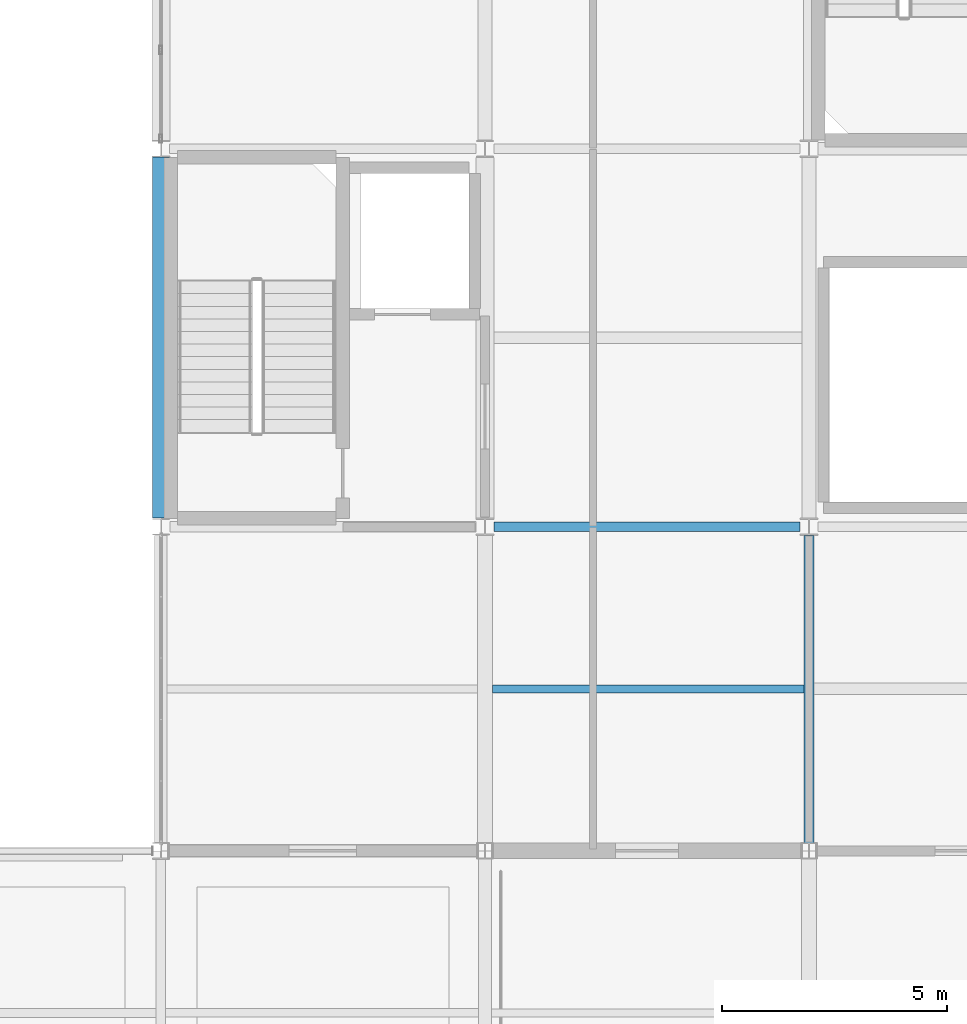
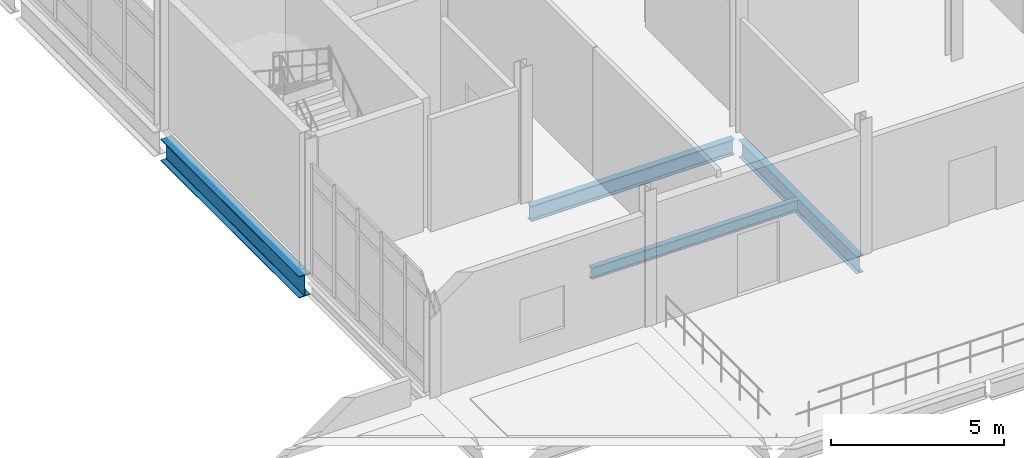
# One storey, part 42 of 153: 4 beams.
"""IFC4 building model written with IfcOpenShell, lengths in metres."""

from ifc_helpers import new_model, si_unit, direction, frame, origin, origin_2d, place, context, subcontext, project, spatial, i_section, extrude, material, material_profile, profile_set, type_object, element, save


model = new_model("IFC4")

# Units and contexts
model_context = context("Model", 3, precision=1e-05, world=origin(), true_north=direction((0.0, 1.0)))
body_context = subcontext(model_context, "Body", "Model", "MODEL_VIEW")
ifc_project = project(units=[si_unit("LENGTHUNIT", "METRE"), si_unit("AREAUNIT", "SQUARE_METRE"), si_unit("VOLUMEUNIT", "CUBIC_METRE"), si_unit("PLANEANGLEUNIT", "RADIAN"), si_unit("MASSUNIT", "GRAM", prefix="KILO")], contexts=[model_context])

# Site, building, storey
site_placement = place(None, origin())
site = spatial("IfcSite", under=ifc_project, at=site_placement, CompositionType="ELEMENT")
building_placement = place(site_placement, origin())
building = spatial("IfcBuilding", under=site, at=building_placement, Name="Calvrana Isthmian Art Gallery", CompositionType="ELEMENT")
storey_placement = place(building_placement, frame((0.0, 0.0, 10.199951171875)))
storey = spatial("IfcBuildingStorey", under=building, at=storey_placement, Name="L02", CompositionType="ELEMENT", Elevation=10.199951171875)

# Beams
ifc_material = material(Name="Steel ASTM A992 Gr 50", Category="steel")
ifc_material_profile_1 = material_profile(ifc_material, i_section(OverallWidth=0.214111328125, OverallDepth=0.549072265625, WebThickness=0.0146484375, FlangeThickness=0.023681640625, FilletRadius=0.02099609375, at=origin_2d()), Name="W21X93")
ifc_profile_set_1 = profile_set([ifc_material_profile_1], Name="Steel ASTM A992 Gr 50")
beam_type_1 = type_object("IfcBeamType", Name="BM-G-W21X93", PredefinedType="BEAM", material=ifc_profile_set_1)
beam_1_placement = place(storey_placement, frame((120.197998046875, 21.60009765625, -0.53955078125), z_axis=(1.0, 0.0, 0.0), x_axis=(0.0, 1.0, 0.0)))
element("IfcBeam", 1, at=beam_1_placement, inside=storey, type_object=beam_type_1, Name="Girder X L02 16-17/D", PredefinedType="BEAM", context=body_context, shape_type="SweptSolid", body=[
    extrude(i_section(OverallWidth=0.214111328125, OverallDepth=0.549072265625, WebThickness=0.0146484375, FlangeThickness=0.023681640625, FilletRadius=0.02099609375, at=origin_2d()), origin(), (0.0, 0.0, 1.0), 6.804931640625),
])
ifc_material_profile_2 = material_profile(ifc_material, i_section(OverallWidth=0.22802734375, OverallDepth=0.60693359375, WebThickness=0.01123046875, FlangeThickness=0.017333984375, FilletRadius=0.02197265625, at=origin_2d()), Name="W24X76")
ifc_profile_set_2 = profile_set([ifc_material_profile_2], Name="Steel ASTM A992 Gr 50")
beam_type_2 = type_object("IfcBeamType", Name="BM-G-W24X76", PredefinedType="BEAM", material=ifc_profile_set_2)
beam_2_placement = place(storey_placement, frame((127.199951171875, 14.577880859375, -0.568359375), z_axis=(0.0, 1.0, 0.0), x_axis=(-1.0, 0.0, 0.0)))
element("IfcBeam", 2, at=beam_2_placement, inside=storey, type_object=beam_type_2, Name="Girder Y L02 17/C-D", PredefinedType="BEAM", context=body_context, shape_type="SweptSolid", body=[
    extrude(i_section(OverallWidth=0.22802734375, OverallDepth=0.60693359375, WebThickness=0.01123046875, FlangeThickness=0.017333984375, FilletRadius=0.02197265625, at=origin_2d()), origin(), (0.0, 0.0, 1.0), 6.834228515625),
])
ifc_material_profile_3 = material_profile(ifc_material, i_section(OverallWidth=0.381103515625, OverallDepth=0.77197265625, WebThickness=0.0166015625, FlangeThickness=0.027099609375, FilletRadius=0.02490234375, at=origin_2d()), Name="W30X173")
ifc_profile_set_3 = profile_set([ifc_material_profile_3], Name="Steel ASTM A992 Gr 50")
beam_type_3 = type_object("IfcBeamType", Name="BM-G-W30X173", PredefinedType="BEAM", material=ifc_profile_set_3)
beam_3_placement = place(storey_placement, frame((112.800048828125, 21.79296875, -0.65087890625), z_axis=(0.0, 1.0, 0.0), x_axis=(-1.0, 0.0, 0.0)))
element("IfcBeam", 3, at=beam_3_placement, inside=storey, type_object=beam_type_3, Name="Girder Y L02 15/D-E", PredefinedType="BEAM", context=body_context, shape_type="SweptSolid", body=[
    extrude(i_section(OverallWidth=0.381103515625, OverallDepth=0.77197265625, WebThickness=0.0166015625, FlangeThickness=0.027099609375, FilletRadius=0.02490234375, at=origin_2d()), origin(), (0.0, 0.0, 1.0), 8.0205078125),
])
ifc_material_profile_4 = material_profile(ifc_material, i_section(OverallWidth=0.177978515625, OverallDepth=0.404052734375, WebThickness=0.007568359375, FlangeThickness=0.010986328125, FilletRadius=0.01806640625, at=origin_2d()), Name="W16X36")
ifc_profile_set_4 = profile_set([ifc_material_profile_4], Name="Steel ASTM A992 Gr 50")
beam_type_4 = type_object("IfcBeamType", Name="BM-J-W16X36", PredefinedType="JOIST", material=ifc_profile_set_4)
beam_4_placement = place(storey_placement, frame((120.16259765625, 18.0, -0.467041015625), z_axis=(1.0, 0.0, 0.0), x_axis=(0.0, 1.0, 0.0)))
element("IfcBeam", 4, at=beam_4_placement, inside=storey, type_object=beam_type_4, Name="Composite joist L02 bay 15-02", PredefinedType="JOIST", context=body_context, shape_type="SweptSolid", body=[
    extrude(i_section(OverallWidth=0.177978515625, OverallDepth=0.404052734375, WebThickness=0.007568359375, FlangeThickness=0.010986328125, FilletRadius=0.01806640625, at=origin_2d()), origin(), (0.0, 0.0, 1.0), 6.92333984375),
])

save(model, "model.ifc")
